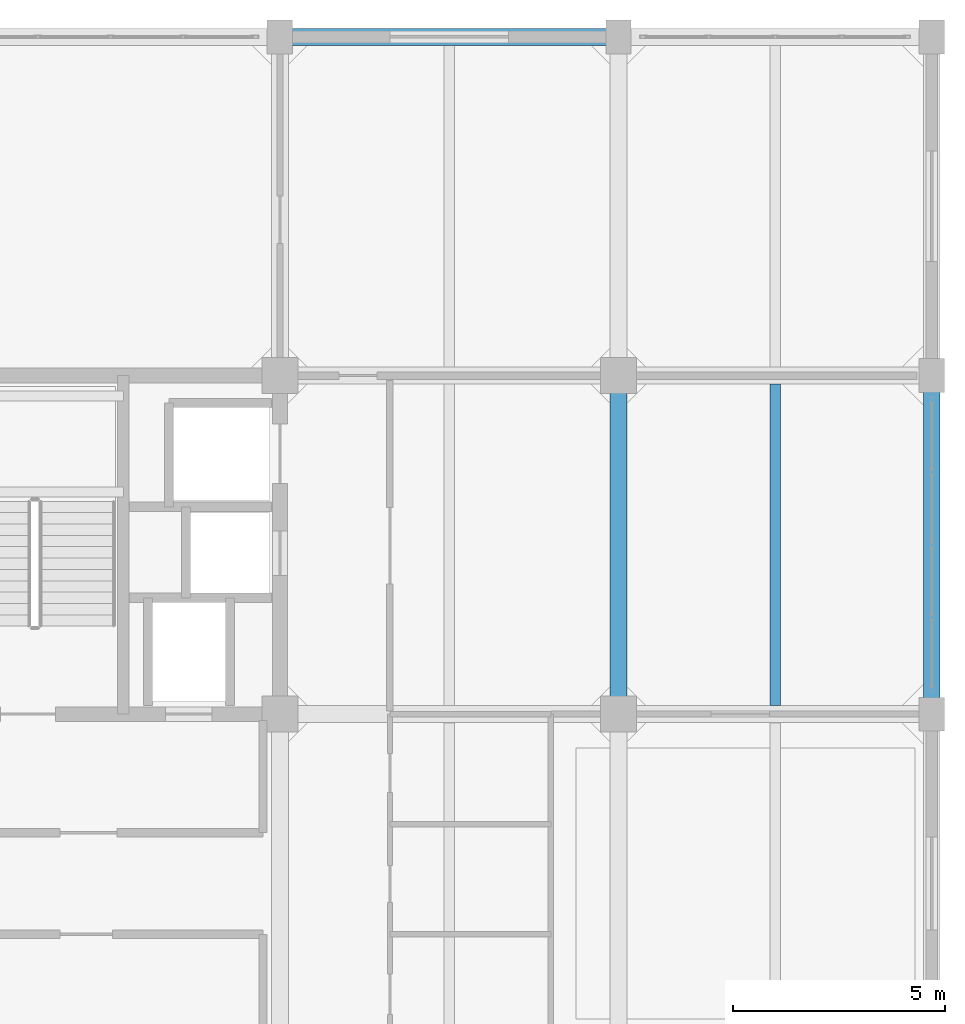
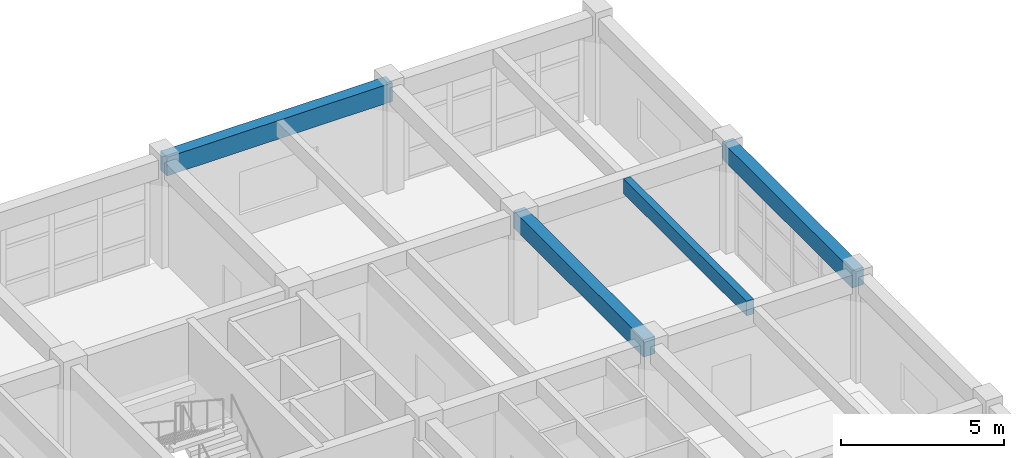
# One storey, part 18 of 30: 4 beams.
"""IFC4 building model written with IfcOpenShell, lengths in metres."""

from ifc_helpers import new_model, si_unit, direction, frame, origin, origin_2d, place, context, subcontext, project, spatial, rectangle, extrude, material, material_profile, profile_set, type_object, element, save


model = new_model("IFC4")

# Units and contexts
model_context = context("Model", 3, precision=1e-05, world=origin(), true_north=direction((0.0, 1.0)))
body_context = subcontext(model_context, "Body", "Model", "MODEL_VIEW")
ifc_project = project(units=[si_unit("LENGTHUNIT", "METRE"), si_unit("AREAUNIT", "SQUARE_METRE"), si_unit("VOLUMEUNIT", "CUBIC_METRE"), si_unit("PLANEANGLEUNIT", "RADIAN"), si_unit("MASSUNIT", "GRAM", prefix="KILO")], contexts=[model_context])

# Site, building, storey
site_placement = place(None, origin())
site = spatial("IfcSite", under=ifc_project, at=site_placement, CompositionType="ELEMENT")
building_placement = place(site_placement, origin())
building = spatial("IfcBuilding", under=site, at=building_placement, Name="Canggui Botanical Conservatory", CompositionType="ELEMENT")
storey_placement = place(building_placement, frame((0.0, 0.0, 27.60009765625)))
storey = spatial("IfcBuildingStorey", under=building, at=storey_placement, Name="L07", CompositionType="ELEMENT", Elevation=27.60009765625)

# Beams
ifc_material = material(Name="Concrete C35", Category="concrete")
ifc_material_profile_1 = material_profile(ifc_material, rectangle(XDim=0.25, YDim=0.550048828125, at=origin_2d()), Name="RB 250x550")
ifc_profile_set_1 = profile_set([ifc_material_profile_1], Name="Concrete C35")
beam_type_1 = type_object("IfcBeamType", Name="BM-JST03", PredefinedType="JOIST", material=ifc_profile_set_1)
beam_1_placement = place(storey_placement, frame((173.699951171875, 58.205078125, 3.684814453125), z_axis=(0.0, 1.0, 0.0), x_axis=(-1.0, 0.0, 0.0)))
element("IfcBeam", 1, at=beam_1_placement, inside=storey, type_object=beam_type_1, Name="Secondary Floor Joist L07-5-4", PredefinedType="JOIST", context=body_context, shape_type="SweptSolid", body=[
    extrude(rectangle(XDim=0.25, YDim=0.550048828125, at=origin_2d()), origin(), (0.0, 0.0, 1.0), 7.58984375),
])
ifc_material_profile_2 = material_profile(ifc_material, rectangle(XDim=0.39990234375, YDim=0.699951171875, at=origin_2d()), Name="RB 400x700")
ifc_profile_set_2 = profile_set([ifc_material_profile_2], Name="Concrete C35")
beam_type_2 = type_object("IfcBeamType", Name="BM-KL11", PredefinedType="BEAM", material=ifc_profile_set_2)
beam_2_placement = place(storey_placement, frame((162.0, 74.0, 3.60986328125), z_axis=(1.0, 0.0, 0.0), x_axis=(0.0, 1.0, 0.0)))
element("IfcBeam", 2, at=beam_2_placement, inside=storey, type_object=beam_type_2, Name="Frame Girder L07 Y74-4", PredefinedType="BEAM", context=body_context, shape_type="SweptSolid", body=[
    extrude(rectangle(XDim=0.39990234375, YDim=0.699951171875, at=origin_2d()), origin(), (0.0, 0.0, 1.0), 8.0),
])
ifc_material_profile_3 = material_profile(ifc_material, rectangle(XDim=0.39990234375, YDim=0.64990234375, at=origin_2d()), Name="RB 400x650")
ifc_profile_set_3 = profile_set([ifc_material_profile_3], Name="Concrete C35")
beam_type_3 = type_object("IfcBeamType", Name="BM-KL12", PredefinedType="BEAM", material=ifc_profile_set_3)
for number, where, z_axis, x_axis, name in (
    (3, (170.0, 58.0, 3.635009765625), (0.0, 1.0, 0.0), (-1.0, 0.0, 0.0), "Frame Girder L07 X170-4"),
    (4, (177.39990234375, 58.0, 3.635009765625), (0.0, 1.0, 0.0), (-1.0, 0.0, 0.0), "Frame Girder L07 X178-4"),
):
    element("IfcBeam", number, at=place(storey_placement, frame(where, z_axis=z_axis, x_axis=x_axis)), inside=storey, type_object=beam_type_3, Name=name, PredefinedType="BEAM", context=body_context, shape_type="SweptSolid", body=[
        extrude(rectangle(XDim=0.39990234375, YDim=0.64990234375, at=origin_2d()), origin(), (0.0, 0.0, 1.0), 8.0),
    ])

save(model, "model.ifc")
